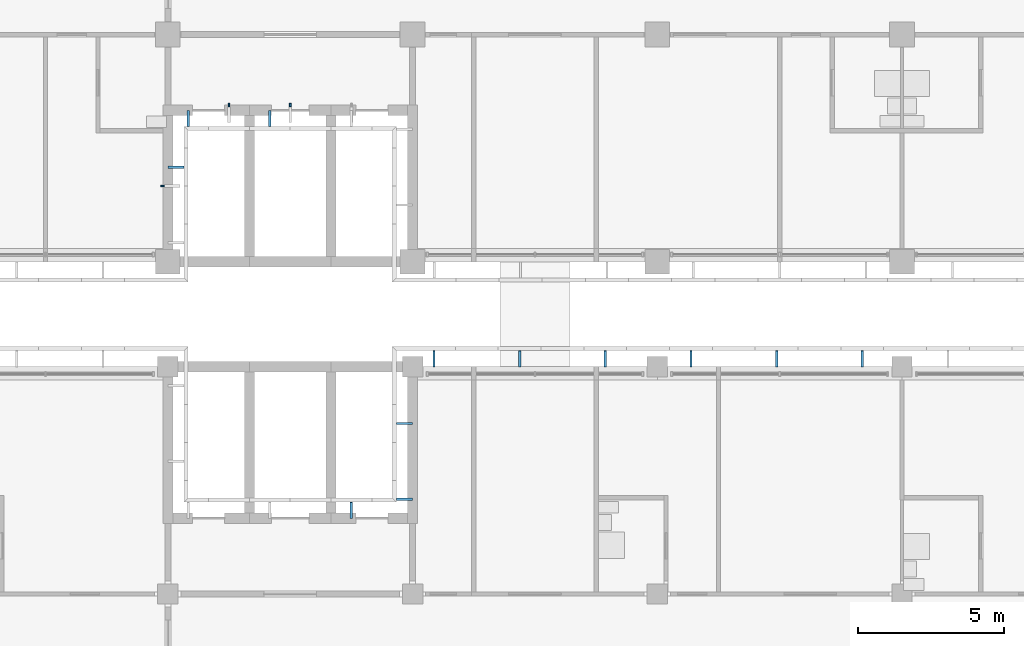
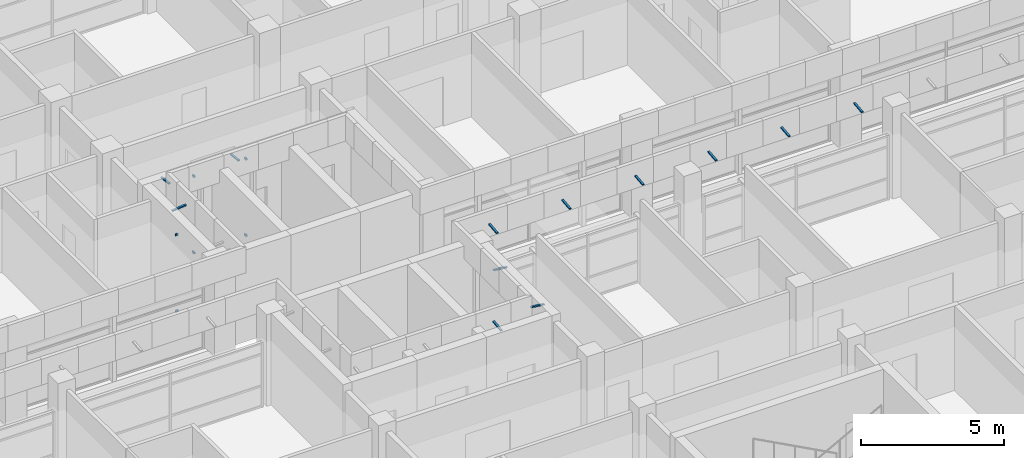
# One storey, part 52 of 74: 18 discrete accessories.
"""IFC4 building model written with IfcOpenShell, lengths in metres."""

from ifc_helpers import new_model, si_unit, direction, frame, origin, origin_2d, place, context, subcontext, project, spatial, rectangle, extrude, material, material_profile, profile_set, type_object, element, save


model = new_model("IFC4")

# Units and contexts
model_context = context("Model", 3, precision=1e-05, world=origin(), true_north=direction((0.0, 1.0)))
body_context = subcontext(model_context, "Body", "Model", "MODEL_VIEW")
ifc_project = project(units=[si_unit("LENGTHUNIT", "METRE"), si_unit("AREAUNIT", "SQUARE_METRE"), si_unit("VOLUMEUNIT", "CUBIC_METRE"), si_unit("PLANEANGLEUNIT", "RADIAN"), si_unit("MASSUNIT", "GRAM", prefix="KILO")], contexts=[model_context])

# Site, building, storey
site_placement = place(None, origin())
site = spatial("IfcSite", under=ifc_project, at=site_placement, CompositionType="ELEMENT")
building_placement = place(site_placement, origin())
building = spatial("IfcBuilding", under=site, at=building_placement, Name="Bougainvillea Quay General Hospital", CompositionType="ELEMENT")
storey_placement = place(building_placement, frame((0.0, 0.0, 21.0)))
storey = spatial("IfcBuildingStorey", under=building, at=storey_placement, Name="L04", CompositionType="ELEMENT", Elevation=21.0)

# Discrete accessories
ifc_material = material(Name="Stainless steel bracket, grade 316", Category="steel")
discrete_accessory_type_1 = type_object("IfcDiscreteAccessoryType", Name="Stainless steel fin arm 60x80", PredefinedType="BRACKET", material=ifc_material)
for number, where, z_axis, x_axis, name in (
    (1, (67.010009765625, 143.0, 0.0), (0.0, 0.0, 1.0), (1.0, 0.0, 0.0), "Fin arm V5A L04 03.1B"),
    (2, (67.010009765625, 143.0, 3.25), (0.0, 0.0, 1.0), (1.0, 0.0, 0.0), "Fin arm V5A L04 03.1T"),
    (3, (71.39990234375, 145.7900390625, 0.0), (0.0, 0.0, 1.0), (0.0, -1.0, 0.0), "Fin arm V5A L04 04.2B"),
    (4, (71.39990234375, 145.7900390625, 3.25), (0.0, 0.0, 1.0), (0.0, -1.0, 0.0), "Fin arm V5A L04 04.2T"),
    (5, (69.300048828125, 145.7900390625, 0.0), (0.0, 0.0, 1.0), (0.0, -1.0, 0.0), "Fin arm V5A L04 04.3B"),
    (6, (69.300048828125, 145.7900390625, 3.25), (0.0, 0.0, 1.0), (0.0, -1.0, 0.0), "Fin arm V5A L04 04.3T"),
):
    element("IfcDiscreteAccessory", number, at=place(storey_placement, frame(where, z_axis=z_axis, x_axis=x_axis)), inside=storey, type_object=discrete_accessory_type_1, Name=name, PredefinedType="BRACKET", context=body_context, shape_type="SweptSolid", body=[
        extrude(rectangle(XDim=0.1201171875, YDim=0.06005859375, at=origin_2d()), origin(), (0.0, 0.0, 1.0), 0.080078125),
    ])
ifc_material_profile = material_profile(ifc_material, rectangle(XDim=0.080078125, YDim=0.050048828125, at=origin_2d()))
ifc_profile_set = profile_set([ifc_material_profile], Name="Stainless steel bracket, grade 316")
discrete_accessory_type_2 = type_object("IfcDiscreteAccessoryType", Name="Stainless steel stand-off bracket 80x50", PredefinedType="BRACKET", material=ifc_profile_set)
for number, where, z_axis, x_axis, name in (
    (7, (67.199951171875, 143.64990234375, 3.840087890625), (0.994139309541, 0.0, 0.108106582706), (0.0, 1.0, 0.0), "Fascia bracket e0 129"),
    (8, (67.89990234375, 145.60009765625, 3.840087890625), (0.0, -0.994139309541, 0.108106582706), (1.0, 0.0, 0.0), "Fascia bracket e0 131"),
    (9, (70.699951171875, 145.60009765625, 3.840087890625), (0.0, -0.994139309541, 0.108106582706), (1.0, 0.0, 0.0), "Fascia bracket e0 133"),
    (10, (91.034912109375, 136.800048828125, 3.840087890625), (0.0, 0.994139309541, 0.108106582706), (-1.0, 0.0, 0.0), "Fascia bracket e0 171"),
    (11, (88.094970703125, 136.800048828125, 3.840087890625), (0.0, 0.994139309541, 0.108106582706), (-1.0, 0.0, 0.0), "Fascia bracket e0 173"),
    (12, (85.155029296875, 136.800048828125, 3.840087890625), (0.0, 0.994139309541, 0.108106582706), (-1.0, 0.0, 0.0), "Fascia bracket e0 175"),
    (13, (82.215087890625, 136.800048828125, 3.840087890625), (0.0, 0.994139309541, 0.108106582706), (-1.0, 0.0, 0.0), "Fascia bracket e0 177"),
    (14, (79.27490234375, 136.800048828125, 3.840087890625), (0.0, 0.994139309541, 0.108106582706), (-1.0, 0.0, 0.0), "Fascia bracket e0 179"),
    (15, (76.3349609375, 136.800048828125, 3.840087890625), (0.0, 0.994139309541, 0.108106582706), (-1.0, 0.0, 0.0), "Fascia bracket e0 181"),
    (16, (75.60009765625, 134.85009765625, 3.840087890625), (-0.994139309541, 0.0, 0.108106582706), (0.0, -1.0, 0.0), "Fascia bracket e0 183"),
    (17, (75.60009765625, 132.25, 3.840087890625), (-0.994139309541, 0.0, 0.108106582706), (0.0, -1.0, 0.0), "Fascia bracket e0 185"),
):
    element("IfcDiscreteAccessory", number, at=place(storey_placement, frame(where, z_axis=z_axis, x_axis=x_axis)), inside=storey, type_object=discrete_accessory_type_2, Name=name, PredefinedType="BRACKET", context=body_context, shape_type="SweptSolid", body=[
        extrude(rectangle(XDim=0.080078125, YDim=0.050048828125, at=origin_2d()), origin(), (0.0, 0.0, 1.0), 0.55322265625),
    ])
discrete_accessory_placement = place(storey_placement, frame((73.5, 131.60009765625, 3.840087890625), z_axis=(0.0, 0.994134149227, 0.108154026004), x_axis=(-1.0, 0.0, 0.0)))
element("IfcDiscreteAccessory", 18, at=discrete_accessory_placement, inside=storey, type_object=discrete_accessory_type_2, Name="Fascia bracket e0 187", PredefinedType="BRACKET", context=body_context, shape_type="SweptSolid", body=[
    extrude(rectangle(XDim=0.080078125, YDim=0.050048828125, at=origin_2d()), origin(), (0.0, 0.0, 1.0), 0.552978515625),
])

save(model, "model.ifc")
